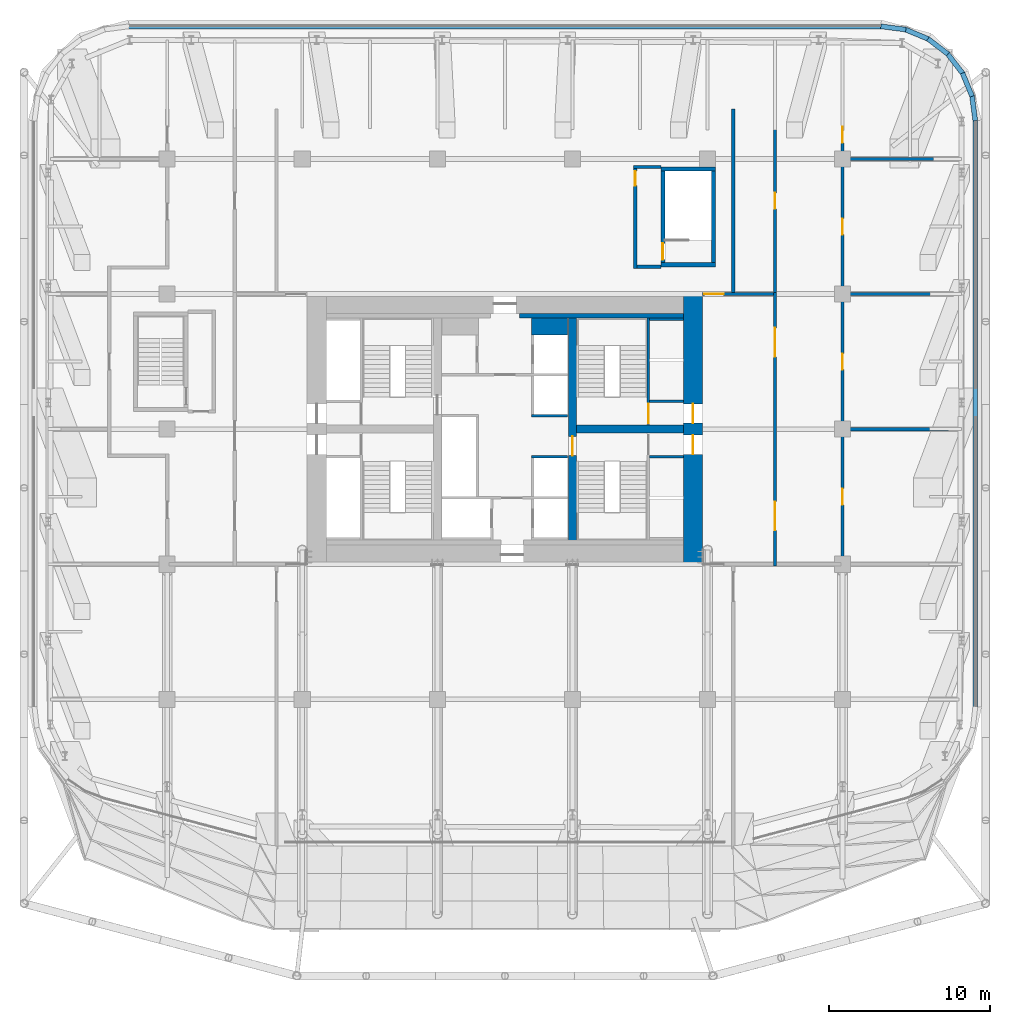
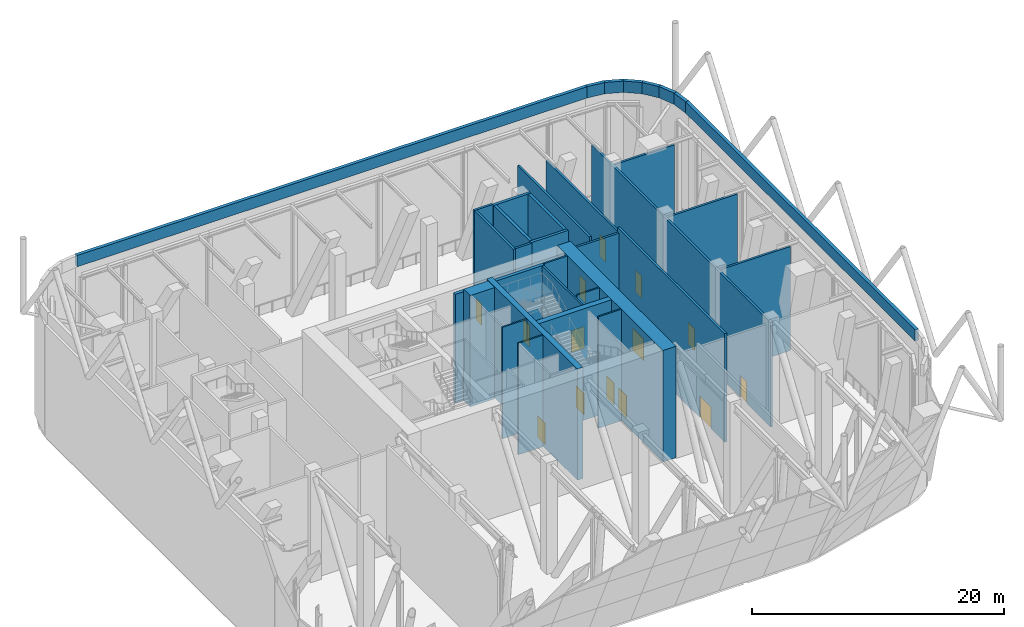
# One storey, part 11 of 19: 34 walls, 14 doors, 14 openings.
"""IFC4 building model written with IfcOpenShell, lengths in metres."""

from ifc_helpers import new_model, si_unit, direction, frame, frame_2d, origin, place, context, subcontext, project, spatial, rectangle, extrude, material, layer, layer_set, type_object, element, fill, save


model = new_model("IFC4")

# Units and contexts
model_context = context("Model", 3, precision=1e-05, world=origin(), true_north=direction((0.0, 1.0)))
body_context = subcontext(model_context, "Body", "Model", "MODEL_VIEW")
ifc_project = project(units=[si_unit("LENGTHUNIT", "METRE"), si_unit("AREAUNIT", "SQUARE_METRE"), si_unit("VOLUMEUNIT", "CUBIC_METRE"), si_unit("PLANEANGLEUNIT", "RADIAN"), si_unit("MASSUNIT", "GRAM", prefix="KILO")], contexts=[model_context])

# Site, building, storey
site_placement = place(None, origin())
site = spatial("IfcSite", under=ifc_project, at=site_placement, CompositionType="ELEMENT")
building_placement = place(site_placement, origin())
building = spatial("IfcBuilding", under=site, at=building_placement, Name="Marenta Gate Hotel Tower", CompositionType="ELEMENT")
storey_placement = place(building_placement, frame((0.0, 0.0, 86.89990234375)))
storey = spatial("IfcBuildingStorey", under=building, at=storey_placement, Name="L20", CompositionType="ELEMENT", Elevation=86.89990234375)

# Wall, openings, doors
ifc_material_1 = material(Name="Concrete blockwork", Category="masonry")
ifc_layer_1 = layer(ifc_material_1, 0.199951171875)
ifc_layer_set_1 = layer_set([ifc_layer_1], Name="Concrete blockwork")
wall_type_1 = type_object("IfcWallType", Name="Core boundary wall 200 REI 180", PredefinedType="PARTITIONING", material=ifc_layer_set_1)
wall_1_placement = place(storey_placement, frame((16.800048828125, -0.10009765625, 0.0), z_axis=(0.0, 0.0, 1.0), x_axis=(0.0, 1.0, 0.0)))
wall_1 = element("IfcWall", 1, at=wall_1_placement, inside=storey, type_object=wall_type_1, Name="L20-CP-BW-E", PredefinedType="PARTITIONING", context=body_context, shape_type="SweptSolid", body=[
    extrude(rectangle(XDim=17.0, YDim=0.199951171875, at=frame_2d((8.5, 0.0))), origin(), (0.0, 0.0, 1.0), 10.5400390625),
])
opening_1_placement = place(wall_1_placement, frame((2.199951171875, 0.0, 0.0)))
opening_1 = element("IfcOpeningElement", 2, at=opening_1_placement, cuts=wall_1, Name="Opening ED-Ea-B", PredefinedType="OPENING", context=body_context, shape_type="SweptSolid", body=[
    extrude(rectangle(XDim=1.800048828125, YDim=2.10009765625, at=frame_2d((0.89990234375, 1.050048828125))), frame((0.0, 0.10009765625, 0.0), z_axis=(0.0, -1.0, 0.0), x_axis=(1.0, 0.0, 0.0)), (0.0, 0.0, 1.0), 0.199951171875),
])
opening_2_placement = place(wall_1_placement, frame((13.0, 0.0, 0.0)))
opening_2 = element("IfcOpeningElement", 3, at=opening_2_placement, cuts=wall_1, Name="Opening ED-Eb-B", PredefinedType="OPENING", context=body_context, shape_type="SweptSolid", body=[
    extrude(rectangle(XDim=1.800048828125, YDim=2.10009765625, at=frame_2d((0.89990234375, 1.050048828125))), frame((0.0, 0.10009765625, 0.0), z_axis=(0.0, -1.0, 0.0), x_axis=(1.0, 0.0, 0.0)), (0.0, 0.0, 1.0), 0.199951171875),
])
ifc_material_2 = material(Name="Steel", Category="steel")
door_type_1 = type_object("IfcDoorType", Name="Core lobby entrance door 1800x2100 EI 60", OperationType="DOUBLE_DOOR_SINGLE_SWING", PredefinedType="DOOR", material=ifc_material_2)
door_1_placement = place(opening_1_placement, origin())
door_1 = element("IfcDoor", 4, at=door_1_placement, inside=storey, type_object=door_type_1, Name="ED-Ea-B", OperationType="DOUBLE_DOOR_SINGLE_SWING", OverallHeight=2.10009765625, OverallWidth=1.800048828125, PredefinedType="DOOR", context=body_context, shape_type="SweptSolid", body=[
    extrude(rectangle(XDim=1.800048828125, YDim=2.10009765625, at=frame_2d((0.89990234375, 1.050048828125))), frame((0.0, 0.02490234375, 0.0), z_axis=(0.0, -1.0, 0.0), x_axis=(1.0, 0.0, 0.0)), (0.0, 0.0, 1.0), 0.050048828125),
])
fill(opening_1, door_1)
door_2_placement = place(opening_2_placement, origin())
door_2 = element("IfcDoor", 5, at=door_2_placement, inside=storey, type_object=door_type_1, Name="ED-Eb-B", OperationType="DOUBLE_DOOR_SINGLE_SWING", OverallHeight=2.10009765625, OverallWidth=1.800048828125, PredefinedType="DOOR", context=body_context, shape_type="SweptSolid", body=[
    extrude(rectangle(XDim=1.800048828125, YDim=2.10009765625, at=frame_2d((0.89990234375, 1.050048828125))), frame((0.0, 0.02490234375, 0.0), z_axis=(0.0, -1.0, 0.0), x_axis=(1.0, 0.0, 0.0)), (0.0, 0.0, 1.0), 0.050048828125),
])
fill(opening_2, door_2)

# Wall, opening, door
wall_2_placement = place(storey_placement, frame((12.300048828125, 16.800048828125, 0.0), z_axis=(0.0, 0.0, 1.0), x_axis=(1.0, 0.0, 0.0)))
wall_2 = element("IfcWall", 6, at=wall_2_placement, inside=storey, type_object=wall_type_1, Name="L20-CP-EW-EN", PredefinedType="PARTITIONING", context=body_context, shape_type="SweptSolid", body=[
    extrude(rectangle(XDim=4.39990234375, YDim=0.199951171875, at=frame_2d((2.199951171875, 0.0))), origin(), (0.0, 0.0, 1.0), 10.090087890625),
])
opening_3_placement = place(wall_2_placement, frame((0.10009765625, 0.0, 0.0)))
opening_3 = element("IfcOpeningElement", 7, at=opening_3_placement, cuts=wall_2, Name="Opening RFD-EN", PredefinedType="OPENING", context=body_context, shape_type="SweptSolid", body=[
    extrude(rectangle(XDim=1.199951171875, YDim=2.10009765625, at=frame_2d((0.60009765625, 1.050048828125))), frame((0.0, 0.10009765625, 0.0), z_axis=(0.0, -1.0, 0.0), x_axis=(1.0, 0.0, 0.0)), (0.0, 0.0, 1.0), 0.199951171875),
])
ifc_material_3 = material(Name="Steel", Category="steel")
door_type_2 = type_object("IfcDoorType", Name="Core lobby door 1200x2100 FD60", OperationType="SINGLE_SWING_LEFT", PredefinedType="DOOR", material=ifc_material_3)
door_3_placement = place(opening_3_placement, origin())
door_3 = element("IfcDoor", 8, at=door_3_placement, inside=storey, type_object=door_type_2, Name="RFD-EN", OperationType="SINGLE_SWING_LEFT", OverallHeight=2.10009765625, OverallWidth=1.199951171875, PredefinedType="DOOR", context=body_context, shape_type="SweptSolid", body=[
    extrude(rectangle(XDim=1.199951171875, YDim=2.10009765625, at=frame_2d((0.60009765625, 1.050048828125))), frame((0.0, 0.02490234375, 0.0), z_axis=(0.0, -1.0, 0.0), x_axis=(1.0, 0.0, 0.0)), (0.0, 0.0, 1.0), 0.050048828125),
])
fill(opening_3, door_3)

# Walls
ifc_material_4 = material(Name="Concrete C40", Category="concrete")
ifc_layer_2 = layer(ifc_material_4, 0.300048828125)
ifc_layer_set_2 = layer_set([ifc_layer_2], Name="Concrete C40")
wall_type_2 = type_object("IfcWallType", Name="Core lining wall 300 REI 180", PredefinedType="PARTITIONING", material=ifc_layer_set_2)
wall_3_placement = place(storey_placement, frame((0.89990234375, 15.449951171875, 0.0), z_axis=(0.0, 0.0, 1.0), x_axis=(1.0, 0.0, 0.0)))
element("IfcWall", 9, at=wall_3_placement, inside=storey, type_object=wall_type_2, Name="L20-CP-LN-N2", PredefinedType="PARTITIONING", context=body_context, shape_type="SweptSolid", body=[
    extrude(rectangle(XDim=10.2001953125, YDim=0.300048828125, at=frame_2d((5.10009765625, 0.0))), origin(), (0.0, 0.0, 1.0), 10.5400390625),
])
ifc_material_5 = material(Name="Concrete C40", Category="concrete")
ifc_layer_3 = layer(ifc_material_5, 1.050048828125)
ifc_layer_set_3 = layer_set([ifc_layer_3], Name="Concrete C40")
wall_type_3 = type_object("IfcWallType", Name="Core shaft wall 1050 REI 180", PredefinedType="SHEAR", material=ifc_layer_set_3)
wall_4_placement = place(storey_placement, frame((1.64990234375, 14.77490234375, 0.0), z_axis=(0.0, 0.0, 1.0), x_axis=(1.0, 0.0, 0.0)))
element("IfcWall", 10, at=wall_4_placement, inside=storey, type_object=wall_type_3, Name="L20-SHF-CE-N-top", PredefinedType="SHEAR", context=body_context, shape_type="SweptSolid", body=[
    extrude(rectangle(XDim=2.25, YDim=1.050048828125, at=frame_2d((1.125, 0.0))), origin(), (0.0, 0.0, 1.0), 10.800048828125),
])
ifc_material_6 = material(Name="Concrete C40", Category="concrete")
ifc_layer_4 = layer(ifc_material_6, 0.14990234375)
ifc_layer_set_4 = layer_set([ifc_layer_4], Name="Concrete C40")
wall_type_4 = type_object("IfcWallType", Name="Core shaft wall 150 REI 180", PredefinedType="SHEAR", material=ifc_layer_set_4)
for number, where, z_axis, x_axis, name in (
    (11, (9.0, 6.675048828125, 0.0), (0.0, 0.0, 1.0), (1.0, 0.0, 0.0), "L20-SHF-SW-ES-2"),
    (12, (9.0, 10.125, 0.0), (0.0, 0.0, 1.0), (1.0, 0.0, 0.0), "L20-SHF-SW-EN-2"),
    (13, (9.0, 15.22509765625, 0.0), (0.0, 0.0, 1.0), (1.0, 0.0, 0.0), "L20-SHF-SW-EN-5"),
):
    element("IfcWall", number, at=place(storey_placement, frame(where, z_axis=z_axis, x_axis=x_axis)), inside=storey, type_object=wall_type_4, Name=name, PredefinedType="SHEAR", context=body_context, shape_type="SweptSolid", body=[
        extrude(rectangle(XDim=2.10009765625, YDim=0.14990234375, at=frame_2d((1.050048828125, 0.0))), origin(), (0.0, 0.0, 1.0), 10.800048828125),
    ])
for number, where, z_axis, x_axis, name in (
    (14, (1.64990234375, 6.675048828125, 0.0), (0.0, 0.0, 1.0), (1.0, 0.0, 0.0), "L20-SHF-CE-sep1"),
    (15, (1.64990234375, 9.22509765625, 0.0), (0.0, 0.0, 1.0), (1.0, 0.0, 0.0), "L20-SHF-CE-sep2"),
):
    element("IfcWall", number, at=place(storey_placement, frame(where, z_axis=z_axis, x_axis=x_axis)), inside=storey, type_object=wall_type_4, Name=name, PredefinedType="SHEAR", context=body_context, shape_type="SweptSolid", body=[
        extrude(rectangle(XDim=2.25, YDim=0.14990234375, at=frame_2d((1.125, 0.0))), origin(), (0.0, 0.0, 1.0), 10.800048828125),
    ])

# Wall, opening, door
ifc_material_7 = material(Name="Concrete C40", Category="concrete")
ifc_layer_5 = layer(ifc_material_7, 0.14990234375)
ifc_layer_set_5 = layer_set([ifc_layer_5], Name="Concrete C40")
wall_type_5 = type_object("IfcWallType", Name="Core stair enclosure wall 150 REI 180", PredefinedType="SHEAR", material=ifc_layer_set_5)
wall_5_placement = place(storey_placement, frame((8.925048828125, 8.699951171875, 0.0), z_axis=(0.0, 0.0, 1.0), x_axis=(0.0, 1.0, 0.0)))
wall_5 = element("IfcWall", 16, at=wall_5_placement, inside=storey, type_object=wall_type_5, Name="L20-SHF-SW-EN-3", PredefinedType="SHEAR", context=body_context, shape_type="SweptSolid", body=[
    extrude(rectangle(XDim=6.60009765625, YDim=0.14990234375, at=frame_2d((3.300048828125, 0.0))), origin(), (0.0, 0.0, 1.0), 10.5400390625),
])
opening_4_placement = place(wall_5_placement, frame((0.074951171875, 0.0, 0.0)))
opening_4 = element("IfcOpeningElement", 17, at=opening_4_placement, cuts=wall_5, Name="Opening SD-EN", PredefinedType="OPENING", context=body_context, shape_type="SweptSolid", body=[
    extrude(rectangle(XDim=1.199951171875, YDim=2.10009765625, at=frame_2d((0.60009765625, 1.050048828125))), frame((0.0, 0.074951171875, 0.0), z_axis=(0.0, -1.0, 0.0), x_axis=(1.0, 0.0, 0.0)), (0.0, 0.0, 1.0), 0.14990234375),
])
ifc_material_8 = material(Name="Steel", Category="steel")
door_type_3 = type_object("IfcDoorType", Name="Core stair door 1200x2100 FD60", OperationType="SINGLE_SWING_LEFT", PredefinedType="DOOR", material=ifc_material_8)
door_4_placement = place(opening_4_placement, origin())
door_4 = element("IfcDoor", 18, at=door_4_placement, inside=storey, type_object=door_type_3, Name="SD-EN", OperationType="SINGLE_SWING_LEFT", OverallHeight=2.10009765625, OverallWidth=1.199951171875, PredefinedType="DOOR", context=body_context, shape_type="SweptSolid", body=[
    extrude(rectangle(XDim=1.199951171875, YDim=2.10009765625, at=frame_2d((0.60009765625, 1.050048828125))), frame((0.0, 0.02490234375, 0.0), z_axis=(0.0, -1.0, 0.0), x_axis=(1.0, 0.0, 0.0)), (0.0, 0.0, 1.0), 0.050048828125),
])
fill(opening_4, door_4)

# Wall, openings, doors
ifc_material_9 = material(Name="Concrete C80", Category="concrete")
ifc_layer_6 = layer(ifc_material_9, 1.199951171875)
ifc_layer_set_6 = layer_set([ifc_layer_6], Name="Concrete C80")
wall_type_6 = type_object("IfcWallType", Name="Core wall 1200 C80", PredefinedType="SHEAR", material=ifc_layer_set_6)
wall_6_placement = place(storey_placement, frame((11.699951171875, 0.0, 0.0), z_axis=(0.0, 0.0, 1.0), x_axis=(0.0, 1.0, 0.0)))
wall_6 = element("IfcWall", 19, at=wall_6_placement, inside=storey, type_object=wall_type_6, Name="L20-CORE-E", PredefinedType="SHEAR", context=body_context, shape_type="SweptSolid", body=[
    extrude(rectangle(XDim=16.800048828125, YDim=1.199951171875, at=frame_2d((8.39990234375, 0.0))), origin(), (0.0, 0.0, 1.0), 10.800048828125),
])
opening_5_placement = place(wall_6_placement, frame((6.824951171875, 0.0, 0.0)))
opening_5 = element("IfcOpeningElement", 20, at=opening_5_placement, cuts=wall_6, Name="Opening PD-ES", PredefinedType="OPENING", context=body_context, shape_type="SweptSolid", body=[
    extrude(rectangle(XDim=1.199951171875, YDim=2.10009765625, at=frame_2d((0.60009765625, 1.050048828125))), frame((0.0, 0.60009765625, 0.0), z_axis=(0.0, -1.0, 0.0), x_axis=(1.0, 0.0, 0.0)), (0.0, 0.0, 1.0), 1.199951171875),
])
opening_6_placement = place(wall_6_placement, frame((8.77490234375, 0.0, 0.0)))
opening_6 = element("IfcOpeningElement", 21, at=opening_6_placement, cuts=wall_6, Name="Opening PD-EN", PredefinedType="OPENING", context=body_context, shape_type="SweptSolid", body=[
    extrude(rectangle(XDim=1.199951171875, YDim=2.10009765625, at=frame_2d((0.60009765625, 1.050048828125))), frame((0.0, 0.60009765625, 0.0), z_axis=(0.0, -1.0, 0.0), x_axis=(1.0, 0.0, 0.0)), (0.0, 0.0, 1.0), 1.199951171875),
])
door_5_placement = place(opening_5_placement, origin())
door_5 = element("IfcDoor", 22, at=door_5_placement, inside=storey, type_object=door_type_2, Name="PD-ES", OperationType="SINGLE_SWING_LEFT", OverallHeight=2.10009765625, OverallWidth=1.199951171875, PredefinedType="DOOR", context=body_context, shape_type="SweptSolid", body=[
    extrude(rectangle(XDim=1.199951171875, YDim=2.10009765625, at=frame_2d((0.60009765625, 1.050048828125))), frame((0.0, 0.02490234375, 0.0), z_axis=(0.0, -1.0, 0.0), x_axis=(1.0, 0.0, 0.0)), (0.0, 0.0, 1.0), 0.050048828125),
])
fill(opening_5, door_5)
door_6_placement = place(opening_6_placement, origin())
door_6 = element("IfcDoor", 23, at=door_6_placement, inside=storey, type_object=door_type_2, Name="PD-EN", OperationType="SINGLE_SWING_LEFT", OverallHeight=2.10009765625, OverallWidth=1.199951171875, PredefinedType="DOOR", context=body_context, shape_type="SweptSolid", body=[
    extrude(rectangle(XDim=1.199951171875, YDim=2.10009765625, at=frame_2d((0.60009765625, 1.050048828125))), frame((0.0, 0.02490234375, 0.0), z_axis=(0.0, -1.0, 0.0), x_axis=(1.0, 0.0, 0.0)), (0.0, 0.0, 1.0), 0.050048828125),
])
fill(opening_6, door_6)

# Wall, opening, door
ifc_material_10 = material(Name="Concrete C80", Category="concrete")
ifc_layer_7 = layer(ifc_material_10, 0.5)
ifc_layer_set_7 = layer_set([ifc_layer_7], Name="Concrete C80")
wall_type_7 = type_object("IfcWallType", Name="Core web 500 C80", PredefinedType="SHEAR", material=ifc_layer_set_7)
wall_7_placement = place(storey_placement, frame((4.199951171875, 1.199951171875, 0.0), z_axis=(0.0, 0.0, 1.0), x_axis=(0.0, 1.0, 0.0)))
wall_7 = element("IfcWall", 24, at=wall_7_placement, inside=storey, type_object=wall_type_7, Name="L20-CORE-W2", PredefinedType="SHEAR", context=body_context, shape_type="SweptSolid", body=[
    extrude(rectangle(XDim=14.400146484375, YDim=0.5, at=frame_2d((7.2001953125, 0.0))), origin(), (0.0, 0.0, 1.0), 10.800048828125),
])
opening_7_placement = place(wall_7_placement, frame((5.550048828125, 0.0, 0.0)))
opening_7 = element("IfcOpeningElement", 25, at=opening_7_placement, cuts=wall_7, Name="Opening WD-E", PredefinedType="OPENING", context=body_context, shape_type="SweptSolid", body=[
    extrude(rectangle(XDim=1.199951171875, YDim=2.10009765625, at=frame_2d((0.60009765625, 1.050048828125))), frame((0.0, 0.25, 0.0), z_axis=(0.0, -1.0, 0.0), x_axis=(1.0, 0.0, 0.0)), (0.0, 0.0, 1.0), 0.5),
])
door_7_placement = place(opening_7_placement, origin())
door_7 = element("IfcDoor", 26, at=door_7_placement, inside=storey, type_object=door_type_3, Name="WD-E", OperationType="SINGLE_SWING_LEFT", OverallHeight=2.10009765625, OverallWidth=1.199951171875, PredefinedType="DOOR", context=body_context, shape_type="SweptSolid", body=[
    extrude(rectangle(XDim=1.199951171875, YDim=2.10009765625, at=frame_2d((0.60009765625, 1.050048828125))), frame((0.0, 0.02490234375, 0.0), z_axis=(0.0, -1.0, 0.0), x_axis=(1.0, 0.0, 0.0)), (0.0, 0.0, 1.0), 0.050048828125),
])
fill(opening_7, door_7)

# Walls
wall_8_placement = place(storey_placement, frame((4.449951171875, 8.39990234375, 0.0), z_axis=(0.0, 0.0, 1.0), x_axis=(1.0, 0.0, 0.0)))
element("IfcWall", 27, at=wall_8_placement, inside=storey, type_object=wall_type_7, Name="L20-CORE-W4", PredefinedType="SHEAR", context=body_context, shape_type="SweptSolid", body=[
    extrude(rectangle(XDim=6.650146484375, YDim=0.5, at=frame_2d((3.3251953125, 0.0))), origin(), (0.0, 0.0, 1.0), 10.800048828125),
])
ifc_material_11 = material(Name="Concrete C40 board-marked", Category="concrete")
ifc_layer_8 = layer(ifc_material_11, 0.300048828125)
ifc_layer_set_8 = layer_set([ifc_layer_8], Name="Concrete C40 board-marked")
wall_type_8 = type_object("IfcWallType", Name="Parapet 300 mm board-marked concrete", PredefinedType="PARAPET", material=ifc_layer_set_8)
wall_9_placement = place(storey_placement, frame((-23.39990234375, 33.449951171875, 10.800048828125), z_axis=(0.0, 0.0, 1.0), x_axis=(1.0, 0.0, 0.0)))
element("IfcWall", 28, at=wall_9_placement, inside=storey, type_object=wall_type_8, Name="L20-PAR-00100", PredefinedType="PARAPET", context=body_context, shape_type="SweptSolid", body=[
    extrude(rectangle(XDim=46.7998046875, YDim=0.300048828125, at=frame_2d((23.39990234375, 0.0))), origin(), (0.0, 0.0, 1.0), 1.10009765625),
])
wall_10_placement = place(storey_placement, frame((23.38037109375, 33.451416015625, 10.800048828125), z_axis=(0.0, 0.0, 1.0), x_axis=(0.991433593523, -0.130611751513, 0.0)))
element("IfcWall", 29, at=wall_10_placement, inside=storey, type_object=wall_type_8, Name="L20-PAR-00110", PredefinedType="PARAPET", context=body_context, shape_type="SweptSolid", body=[
    extrude(rectangle(XDim=1.56640625, YDim=0.300048828125, at=frame_2d((0.783203125, 0.0))), origin(), (0.0, 0.0, 1.0), 1.10009765625),
])
wall_11_placement = place(storey_placement, frame((24.8955078125, 33.257080078125, 10.800048828125), z_axis=(0.0, 0.0, 1.0), x_axis=(0.923881945474, -0.382677606907, 0.0)))
element("IfcWall", 30, at=wall_11_placement, inside=storey, type_object=wall_type_8, Name="L20-PAR-00120", PredefinedType="PARAPET", context=body_context, shape_type="SweptSolid", body=[
    extrude(rectangle(XDim=1.566162109375, YDim=0.300048828125, at=frame_2d((0.783203125, 0.0))), origin(), (0.0, 0.0, 1.0), 1.10009765625),
])
wall_12_placement = place(storey_placement, frame((26.30859375, 32.67724609375, 10.800048828125), z_axis=(0.0, 0.0, 1.0), x_axis=(0.793330333374, -0.608791411033, 0.0)))
element("IfcWall", 31, at=wall_12_placement, inside=storey, type_object=wall_type_8, Name="L20-PAR-00130", PredefinedType="PARAPET", context=body_context, shape_type="SweptSolid", body=[
    extrude(rectangle(XDim=1.56640625, YDim=0.300048828125, at=frame_2d((0.783203125, 0.0))), origin(), (0.0, 0.0, 1.0), 1.10009765625),
])
for number, where, z_axis, x_axis, name in (
    (32, (27.523681640625, 31.751220703125, 10.800048828125), (0.0, 0.0, 1.0), (0.608866694003, -0.793272556524, 0.0), "L20-PAR-00140"),
    (33, (28.45751953125, 30.54248046875, 10.800048828125), (0.0, 0.0, 1.0), (0.382677606907, -0.923881945474, 0.0), "L20-PAR-00150"),
):
    element("IfcWall", number, at=place(storey_placement, frame(where, z_axis=z_axis, x_axis=x_axis)), inside=storey, type_object=wall_type_8, Name=name, PredefinedType="PARAPET", context=body_context, shape_type="SweptSolid", body=[
        extrude(rectangle(XDim=1.566162109375, YDim=0.300048828125, at=frame_2d((0.783203125, 0.0))), origin(), (0.0, 0.0, 1.0), 1.10009765625),
    ])
wall_13_placement = place(storey_placement, frame((29.046875, 29.13330078125, 10.800048828125), z_axis=(0.0, 0.0, 1.0), x_axis=(0.130458544462, -0.991453765022, 0.0)))
element("IfcWall", 34, at=wall_13_placement, inside=storey, type_object=wall_type_8, Name="L20-PAR-00160", PredefinedType="PARAPET", context=body_context, shape_type="SweptSolid", body=[
    extrude(rectangle(XDim=1.56640625, YDim=0.300048828125, at=frame_2d((0.783203125, 0.0))), origin(), (0.0, 0.0, 1.0), 1.10009765625),
])
wall_14_placement = place(storey_placement, frame((29.25, 27.60009765625, 10.800048828125), z_axis=(0.0, 0.0, 1.0), x_axis=(0.0, -1.0, 0.0)))
element("IfcWall", 35, at=wall_14_placement, inside=storey, type_object=wall_type_8, Name="L20-PAR-00170", PredefinedType="PARAPET", context=body_context, shape_type="SweptSolid", body=[
    extrude(rectangle(XDim=36.484375, YDim=0.300048828125, at=frame_2d((18.2421875, 0.0))), origin(), (0.0, 0.0, 1.0), 1.10009765625),
])
ifc_material_12 = material(Name="Concrete C40", Category="concrete")
ifc_layer_9 = layer(ifc_material_12, 0.25)
ifc_layer_set_9 = layer_set([ifc_layer_9], Name="Concrete C40")
wall_type_9 = type_object("IfcWallType", Name="Remote stair enclosure wall 250 REI 180", PredefinedType="SHEAR", material=ifc_layer_set_9)
for number, where, z_axis, x_axis, name in (
    (36, (9.699951171875, 18.625, 0.10009765625), (0.0, 0.0, 1.0), (1.0, 0.0, 0.0), "L20-RS-Z1-4-W1"),
    (37, (9.699951171875, 24.574951171875, 0.10009765625), (0.0, 0.0, 1.0), (1.0, 0.0, 0.0), "L20-RS-Z1-4-W2"),
):
    element("IfcWall", number, at=place(storey_placement, frame(where, z_axis=z_axis, x_axis=x_axis)), inside=storey, type_object=wall_type_9, Name=name, PredefinedType="SHEAR", context=body_context, shape_type="SweptSolid", body=[
        extrude(rectangle(XDim=3.400146484375, YDim=0.25, at=frame_2d((1.7001953125, 0.0))), origin(), (0.0, 0.0, 1.0), 10.43994140625),
    ])

# Wall, opening, door
wall_15_placement = place(storey_placement, frame((9.824951171875, 18.75, 0.10009765625), z_axis=(0.0, 0.0, 1.0), x_axis=(0.0, 1.0, 0.0)))
wall_15 = element("IfcWall", 38, at=wall_15_placement, inside=storey, type_object=wall_type_9, Name="L20-RS-Z1-4-W3", PredefinedType="SHEAR", context=body_context, shape_type="SweptSolid", body=[
    extrude(rectangle(XDim=5.699951171875, YDim=0.25, at=frame_2d((2.85009765625, 0.0))), origin(), (0.0, 0.0, 1.0), 10.43994140625),
])
opening_8_placement = place(wall_15_placement, frame((0.199951171875, 0.0, 0.0)))
opening_8 = element("IfcOpeningElement", 39, at=opening_8_placement, cuts=wall_15, Name="Opening VD", PredefinedType="OPENING", context=body_context, shape_type="SweptSolid", body=[
    extrude(rectangle(XDim=1.0, YDim=2.10009765625, at=frame_2d((0.5, 1.050048828125))), frame((0.0, 0.125, 0.0), z_axis=(0.0, -1.0, 0.0), x_axis=(1.0, 0.0, 0.0)), (0.0, 0.0, 1.0), 0.25),
])
ifc_material_13 = material(Name="Steel", Category="steel")
door_type_4 = type_object("IfcDoorType", Name="Stair vestibule door 1000x2100 FD60", OperationType="SINGLE_SWING_LEFT", PredefinedType="DOOR", material=ifc_material_13)
door_8_placement = place(opening_8_placement, origin())
door_8 = element("IfcDoor", 40, at=door_8_placement, inside=storey, type_object=door_type_4, Name="VD", OperationType="SINGLE_SWING_LEFT", OverallHeight=2.10009765625, OverallWidth=1.0, PredefinedType="DOOR", context=body_context, shape_type="SweptSolid", body=[
    extrude(rectangle(XDim=1.0, YDim=2.10009765625, at=frame_2d((0.5, 1.050048828125))), frame((0.0, 0.02490234375, 0.0), z_axis=(0.0, -1.0, 0.0), x_axis=(1.0, 0.0, 0.0)), (0.0, 0.0, 1.0), 0.050048828125),
])
fill(opening_8, door_8)

# Wall
wall_16_placement = place(storey_placement, frame((12.97509765625, 18.75, 0.10009765625), z_axis=(0.0, 0.0, 1.0), x_axis=(0.0, 1.0, 0.0)))
element("IfcWall", 41, at=wall_16_placement, inside=storey, type_object=wall_type_9, Name="L20-RS-Z1-4-W4", PredefinedType="SHEAR", context=body_context, shape_type="SweptSolid", body=[
    extrude(rectangle(XDim=5.699951171875, YDim=0.25, at=frame_2d((2.85009765625, 0.0))), origin(), (0.0, 0.0, 1.0), 10.43994140625),
])

# Wall, openings, doors
ifc_material_14 = material(Name="Gypsum board on steel stud", Category="steel")
ifc_layer_10 = layer(ifc_material_14, 0.199951171875)
ifc_layer_set_10 = layer_set([ifc_layer_10], Name="Gypsum board on steel stud")
wall_type_10 = type_object("IfcWallType", Name="Room corridor wall 200 EI 60", PredefinedType="PARTITIONING", material=ifc_layer_set_10)
wall_17_placement = place(storey_placement, frame((21.0, -0.10009765625, 0.0), z_axis=(0.0, 0.0, 1.0), x_axis=(0.0, 1.0, 0.0)))
wall_17 = element("IfcWall", 42, at=wall_17_placement, inside=storey, type_object=wall_type_10, Name="L20-PTN-W001", PredefinedType="PARTITIONING", context=body_context, shape_type="SweptSolid", body=[
    extrude(rectangle(XDim=28.400146484375, YDim=0.199951171875, at=frame_2d((14.2001953125, 0.0))), origin(), (0.0, 0.0, 1.0), 10.14013671875),
])
opening_9_placement = place(wall_17_placement, frame((3.800048828125, 0.0, 0.0)))
opening_9 = element("IfcOpeningElement", 43, at=opening_9_placement, cuts=wall_17, Name="Opening S07-05", PredefinedType="OPENING", context=body_context, shape_type="SweptSolid", body=[
    extrude(rectangle(XDim=1.0, YDim=2.10009765625, at=frame_2d((0.5, 1.050048828125))), frame((0.0, 0.10009765625, 0.0), z_axis=(0.0, -1.0, 0.0), x_axis=(1.0, 0.0, 0.0)), (0.0, 0.0, 1.0), 0.199951171875),
])
opening_10_placement = place(wall_17_placement, frame((12.199951171875, 0.0, 0.0)))
opening_10 = element("IfcOpeningElement", 44, at=opening_10_placement, cuts=wall_17, Name="Opening S07-06", PredefinedType="OPENING", context=body_context, shape_type="SweptSolid", body=[
    extrude(rectangle(XDim=1.0, YDim=2.10009765625, at=frame_2d((0.5, 1.050048828125))), frame((0.0, 0.10009765625, 0.0), z_axis=(0.0, -1.0, 0.0), x_axis=(1.0, 0.0, 0.0)), (0.0, 0.0, 1.0), 0.199951171875),
])
opening_11_placement = place(wall_17_placement, frame((20.60009765625, 0.0, 0.0)))
opening_11 = element("IfcOpeningElement", 45, at=opening_11_placement, cuts=wall_17, Name="Opening S07-07", PredefinedType="OPENING", context=body_context, shape_type="SweptSolid", body=[
    extrude(rectangle(XDim=1.0, YDim=2.10009765625, at=frame_2d((0.5, 1.050048828125))), frame((0.0, 0.10009765625, 0.0), z_axis=(0.0, -1.0, 0.0), x_axis=(1.0, 0.0, 0.0)), (0.0, 0.0, 1.0), 0.199951171875),
])
opening_12_placement = place(wall_17_placement, frame((26.300048828125, 0.0, 0.0)))
opening_12 = element("IfcOpeningElement", 46, at=opening_12_placement, cuts=wall_17, Name="Opening S07-08", PredefinedType="OPENING", context=body_context, shape_type="SweptSolid", body=[
    extrude(rectangle(XDim=1.0, YDim=2.10009765625, at=frame_2d((0.5, 1.050048828125))), frame((0.0, 0.10009765625, 0.0), z_axis=(0.0, -1.0, 0.0), x_axis=(1.0, 0.0, 0.0)), (0.0, 0.0, 1.0), 0.199951171875),
])
ifc_material_15 = material(Name="Hollow steel door set", Category="steel")
door_type_5 = type_object("IfcDoorType", Name="Plant room door 1000x2100 EI 30", OperationType="NOTDEFINED", PredefinedType="DOOR", material=ifc_material_15)
door_9_placement = place(opening_9_placement, origin())
door_9 = element("IfcDoor", 47, at=door_9_placement, inside=storey, type_object=door_type_5, Name="L20-PD-D005", OperationType="SINGLE_SWING_RIGHT", OverallHeight=2.10009765625, OverallWidth=1.0, PredefinedType="DOOR", context=body_context, shape_type="SweptSolid", body=[
    extrude(rectangle(XDim=1.0, YDim=2.10009765625, at=frame_2d((0.5, 1.050048828125))), frame((0.0, 0.02490234375, 0.0), z_axis=(0.0, -1.0, 0.0), x_axis=(1.0, 0.0, 0.0)), (0.0, 0.0, 1.0), 0.050048828125),
])
fill(opening_9, door_9)
door_10_placement = place(opening_10_placement, origin())
door_10 = element("IfcDoor", 48, at=door_10_placement, inside=storey, type_object=door_type_5, Name="L20-PD-D006", OperationType="SINGLE_SWING_LEFT", OverallHeight=2.10009765625, OverallWidth=1.0, PredefinedType="DOOR", context=body_context, shape_type="SweptSolid", body=[
    extrude(rectangle(XDim=1.0, YDim=2.10009765625, at=frame_2d((0.5, 1.050048828125))), frame((0.0, 0.02490234375, 0.0), z_axis=(0.0, -1.0, 0.0), x_axis=(1.0, 0.0, 0.0)), (0.0, 0.0, 1.0), 0.050048828125),
])
fill(opening_10, door_10)
door_11_placement = place(opening_11_placement, origin())
door_11 = element("IfcDoor", 49, at=door_11_placement, inside=storey, type_object=door_type_5, Name="L20-PD-D007", OperationType="SINGLE_SWING_RIGHT", OverallHeight=2.10009765625, OverallWidth=1.0, PredefinedType="DOOR", context=body_context, shape_type="SweptSolid", body=[
    extrude(rectangle(XDim=1.0, YDim=2.10009765625, at=frame_2d((0.5, 1.050048828125))), frame((0.0, 0.02490234375, 0.0), z_axis=(0.0, -1.0, 0.0), x_axis=(1.0, 0.0, 0.0)), (0.0, 0.0, 1.0), 0.050048828125),
])
fill(opening_11, door_11)
door_12_placement = place(opening_12_placement, origin())
door_12 = element("IfcDoor", 50, at=door_12_placement, inside=storey, type_object=door_type_5, Name="L20-PD-D008", OperationType="SINGLE_SWING_LEFT", OverallHeight=2.10009765625, OverallWidth=1.0, PredefinedType="DOOR", context=body_context, shape_type="SweptSolid", body=[
    extrude(rectangle(XDim=1.0, YDim=2.10009765625, at=frame_2d((0.5, 1.050048828125))), frame((0.0, 0.02490234375, 0.0), z_axis=(0.0, -1.0, 0.0), x_axis=(1.0, 0.0, 0.0)), (0.0, 0.0, 1.0), 0.050048828125),
])
fill(opening_12, door_12)

# Wall, opening, door
wall_18_placement = place(storey_placement, frame((16.800048828125, 16.89990234375, 0.0), z_axis=(0.0, 0.0, 1.0), x_axis=(0.0, 1.0, 0.0)))
wall_18 = element("IfcWall", 51, at=wall_18_placement, inside=storey, type_object=wall_type_10, Name="L20-PTN-W002", PredefinedType="PARTITIONING", context=body_context, shape_type="SweptSolid", body=[
    extrude(rectangle(XDim=11.400146484375, YDim=0.199951171875, at=frame_2d((5.7001953125, 0.0))), origin(), (0.0, 0.0, 1.0), 10.14013671875),
])
opening_13_placement = place(wall_18_placement, frame((5.199951171875, 0.0, 0.0)))
opening_13 = element("IfcOpeningElement", 52, at=opening_13_placement, cuts=wall_18, Name="Opening S07-10", PredefinedType="OPENING", context=body_context, shape_type="SweptSolid", body=[
    extrude(rectangle(XDim=1.0, YDim=2.10009765625, at=frame_2d((0.5, 1.050048828125))), frame((0.0, 0.10009765625, 0.0), z_axis=(0.0, -1.0, 0.0), x_axis=(1.0, 0.0, 0.0)), (0.0, 0.0, 1.0), 0.199951171875),
])
door_13_placement = place(opening_13_placement, origin())
door_13 = element("IfcDoor", 53, at=door_13_placement, inside=storey, type_object=door_type_5, Name="L20-PD-D010", OperationType="SINGLE_SWING_RIGHT", OverallHeight=2.10009765625, OverallWidth=1.0, PredefinedType="DOOR", context=body_context, shape_type="SweptSolid", body=[
    extrude(rectangle(XDim=1.0, YDim=2.10009765625, at=frame_2d((0.5, 1.050048828125))), frame((0.0, 0.02490234375, 0.0), z_axis=(0.0, -1.0, 0.0), x_axis=(1.0, 0.0, 0.0)), (0.0, 0.0, 1.0), 0.050048828125),
])
fill(opening_13, door_13)

# Walls
ifc_material_16 = material(Name="Gypsum board on steel stud", Category="steel")
ifc_layer_11 = layer(ifc_material_16, 0.199951171875)
ifc_layer_set_11 = layer_set([ifc_layer_11], Name="Gypsum board on steel stud")
wall_type_11 = type_object("IfcWallType", Name="Room party wall 200 EI 60", PredefinedType="PARTITIONING", material=ifc_layer_set_11)
for number, where, z_axis, x_axis, name in (
    (54, (21.10009765625, 8.39990234375, 0.0), (0.0, 0.0, 1.0), (1.0, 0.0, 0.0), "L20-PTN-W012"),
    (55, (21.10009765625, 16.800048828125, 0.0), (0.0, 0.0, 1.0), (1.0, 0.0, 0.0), "L20-PTN-W019"),
):
    element("IfcWall", number, at=place(storey_placement, frame(where, z_axis=z_axis, x_axis=x_axis)), inside=storey, type_object=wall_type_11, Name=name, PredefinedType="PARTITIONING", context=body_context, shape_type="SweptSolid", body=[
        extrude(rectangle(XDim=6.5, YDim=0.199951171875, at=frame_2d((3.25, 0.0))), origin(), (0.0, 0.0, 1.0), 10.090087890625),
    ])
wall_19_placement = place(storey_placement, frame((21.10009765625, 25.199951171875, 0.0), z_axis=(0.0, 0.0, 1.0), x_axis=(1.0, 0.0, 0.0)))
element("IfcWall", 56, at=wall_19_placement, inside=storey, type_object=wall_type_11, Name="L20-PTN-W028", PredefinedType="PARTITIONING", context=body_context, shape_type="SweptSolid", body=[
    extrude(rectangle(XDim=5.54296875, YDim=0.199951171875, at=frame_2d((2.771484375, 0.0))), origin(), (0.0, 0.0, 1.0), 10.090087890625),
])
ifc_material_17 = material(Name="Concrete blockwork", Category="masonry")
ifc_layer_12 = layer(ifc_material_17, 0.199951171875)
ifc_layer_set_12 = layer_set([ifc_layer_12], Name="Concrete blockwork")
wall_type_12 = type_object("IfcWallType", Name="Room party wall 200 REI 180", PredefinedType="PARTITIONING", material=ifc_layer_set_12)
wall_20_placement = place(storey_placement, frame((14.199951171875, 16.89990234375, 0.0), z_axis=(0.0, 0.0, 1.0), x_axis=(0.0, 1.0, 0.0)))
element("IfcWall", 57, at=wall_20_placement, inside=storey, type_object=wall_type_12, Name="L20-PTN-W004", PredefinedType="PARTITIONING", context=body_context, shape_type="SweptSolid", body=[
    extrude(rectangle(XDim=11.400146484375, YDim=0.199951171875, at=frame_2d((5.7001953125, 0.0))), origin(), (0.0, 0.0, 1.0), 10.5400390625),
])

# Wall, opening, door
wall_21_placement = place(storey_placement, frame((8.10009765625, 18.39990234375, 0.0), z_axis=(0.0, 0.0, 1.0), x_axis=(0.0, 1.0, 0.0)))
wall_21 = element("IfcWall", 58, at=wall_21_placement, inside=storey, type_object=wall_type_12, Name="L20-PTN-W005", PredefinedType="PARTITIONING", context=body_context, shape_type="SweptSolid", body=[
    extrude(rectangle(XDim=6.2001953125, YDim=0.199951171875, at=frame_2d((3.10009765625, 0.0))), origin(), (0.0, 0.0, 1.0), 10.5400390625),
])
opening_14_placement = place(wall_21_placement, frame((5.14990234375, 0.0, 0.0)))
opening_14 = element("IfcOpeningElement", 59, at=opening_14_placement, cuts=wall_21, Name="Opening S07-14", PredefinedType="OPENING", context=body_context, shape_type="SweptSolid", body=[
    extrude(rectangle(XDim=0.89990234375, YDim=2.10009765625, at=frame_2d((0.449951171875, 1.050048828125))), frame((0.0, 0.10009765625, 0.0), z_axis=(0.0, -1.0, 0.0), x_axis=(1.0, 0.0, 0.0)), (0.0, 0.0, 1.0), 0.199951171875),
])
ifc_material_18 = material(Name="Hollow steel door set", Category="steel")
door_type_6 = type_object("IfcDoorType", Name="Stair vestibule door 900x2100 EI 60", OperationType="NOTDEFINED", PredefinedType="DOOR", material=ifc_material_18)
door_14_placement = place(opening_14_placement, origin())
door_14 = element("IfcDoor", 60, at=door_14_placement, inside=storey, type_object=door_type_6, Name="L20-PD-D014", OperationType="SINGLE_SWING_LEFT", OverallHeight=2.10009765625, OverallWidth=0.89990234375, PredefinedType="DOOR", context=body_context, shape_type="SweptSolid", body=[
    extrude(rectangle(XDim=0.89990234375, YDim=2.10009765625, at=frame_2d((0.449951171875, 1.050048828125))), frame((0.0, 0.02490234375, 0.0), z_axis=(0.0, -1.0, 0.0), x_axis=(1.0, 0.0, 0.0)), (0.0, 0.0, 1.0), 0.050048828125),
])
fill(opening_14, door_14)

# Walls
wall_22_placement = place(storey_placement, frame((8.199951171875, 18.5, 0.0), z_axis=(0.0, 0.0, 1.0), x_axis=(1.0, 0.0, 0.0)))
element("IfcWall", 61, at=wall_22_placement, inside=storey, type_object=wall_type_12, Name="L20-PTN-W022", PredefinedType="PARTITIONING", context=body_context, shape_type="SweptSolid", body=[
    extrude(rectangle(XDim=1.5, YDim=0.199951171875, at=frame_2d((0.75, 0.0))), origin(), (0.0, 0.0, 1.0), 10.5400390625),
])
wall_23_placement = place(storey_placement, frame((8.0, 24.699951171875, 0.0), z_axis=(0.0, 0.0, 1.0), x_axis=(1.0, 0.0, 0.0)))
element("IfcWall", 62, at=wall_23_placement, inside=storey, type_object=wall_type_12, Name="L20-PTN-W026", PredefinedType="PARTITIONING", context=body_context, shape_type="SweptSolid", body=[
    extrude(rectangle(XDim=1.699951171875, YDim=0.199951171875, at=frame_2d((0.85009765625, 0.0))), origin(), (0.0, 0.0, 1.0), 10.5400390625),
])

save(model, "model.ifc")
